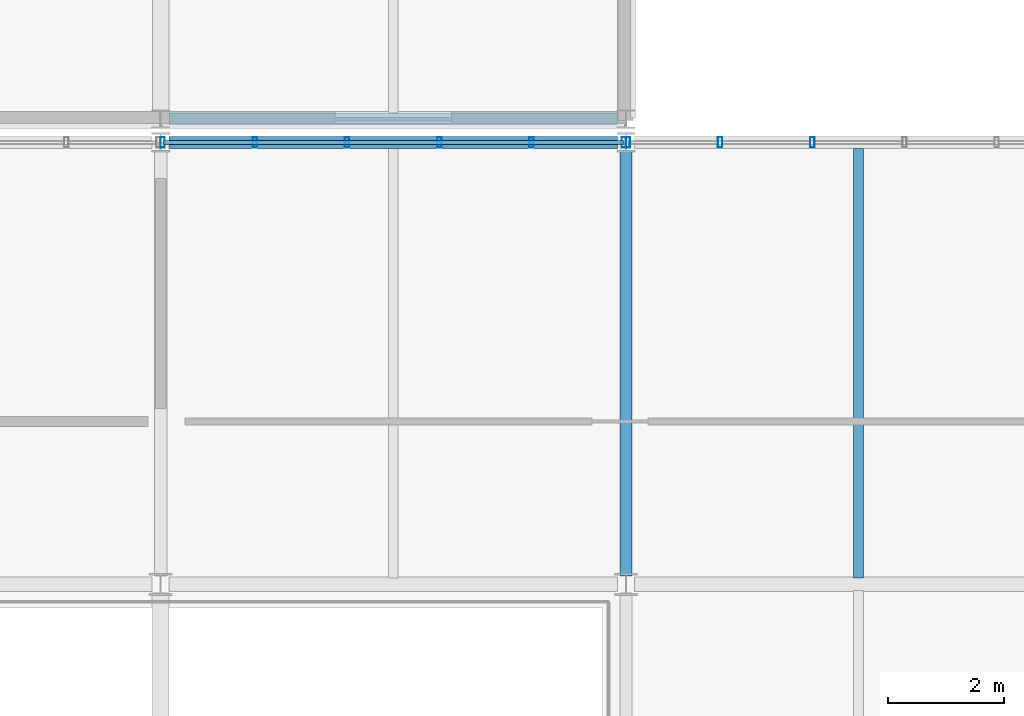
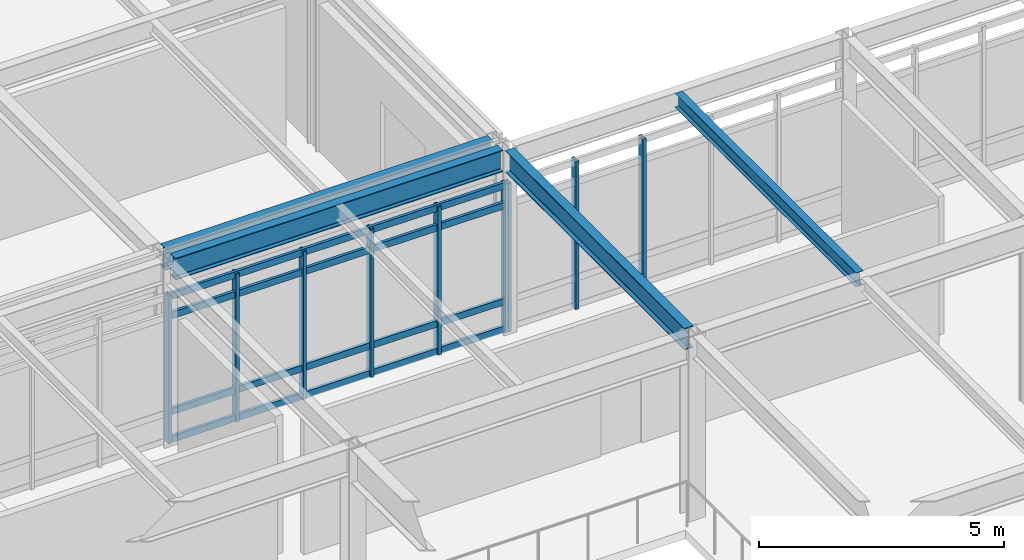
# One storey, part 52 of 104: 13 members, 4 beams, 2 elements without a shape of their own.
"""IFC4 building model written with IfcOpenShell, lengths in metres."""

from ifc_helpers import new_model, si_unit, direction, frame, origin, origin_2d, place, context, subcontext, project, spatial, hollow_rectangle, i_section, extrude, material, material_profile, profile_set, type_object, element, aggregate, save


model = new_model("IFC4")

# Units and contexts
model_context = context("Model", 3, precision=1e-05, world=origin(), true_north=direction((0.0, 1.0)))
body_context = subcontext(model_context, "Body", "Model", "MODEL_VIEW")
ifc_project = project(units=[si_unit("LENGTHUNIT", "METRE"), si_unit("AREAUNIT", "SQUARE_METRE"), si_unit("VOLUMEUNIT", "CUBIC_METRE"), si_unit("PLANEANGLEUNIT", "RADIAN"), si_unit("MASSUNIT", "GRAM", prefix="KILO")], contexts=[model_context])

# Site, building, storey
site_placement = place(None, origin())
site = spatial("IfcSite", under=ifc_project, at=site_placement, CompositionType="ELEMENT")
building_placement = place(site_placement, origin())
building = spatial("IfcBuilding", under=site, at=building_placement, Name="Zulena Civic Courthouse", CompositionType="ELEMENT")
storey_placement = place(building_placement, frame((0.0, 0.0, 15.60009765625)))
storey = spatial("IfcBuildingStorey", under=building, at=storey_placement, Name="L03", CompositionType="ELEMENT", Elevation=15.60009765625)

# Curtain wall, members
ifc_material_1 = material(Name="Double-silver low-E laminated solar-control glass", Category="glass")
curtain_wall_type = type_object("IfcCurtainWallType", Name="CW_7928x3690", PredefinedType="USERDEFINED", material=ifc_material_1)
curtain_wall_1_placement = place(storey_placement, origin())
curtain_wall_1 = element("IfcCurtainWall", 1, at=curtain_wall_1_placement, inside=storey, type_object=curtain_wall_type, Name="cw:V4:L03:1:4", ObjectType="UNITISED CURTAIN WALL", PredefinedType="USERDEFINED")
ifc_material_2 = material(Name="Bronze anodised thermally broken aluminium AA6063-T6", Category="aluminium")
ifc_material_profile_1 = material_profile(ifc_material_2, hollow_rectangle(XDim=0.074951171875, YDim=0.179931640625, WallThickness=0.0048828125, at=origin_2d()), Name="CWM180X75X5")
ifc_profile_set_1 = profile_set([ifc_material_profile_1], Name="Bronze anodised thermally broken aluminium AA6063-T6")
member_type_1 = type_object("IfcMemberType", Name="CWMullion_180x75", PredefinedType="MULLION", material=ifc_profile_set_1)
member_1_placement = place(storey_placement, frame((100.035888671875, 45.60009765625, 0.0), z_axis=(0.0, 0.0, 1.0), x_axis=(1.0, 0.0, 0.0)))
member_1 = element("IfcMember", 2, at=member_1_placement, type_object=member_type_1, Name="cw:V4:L03:1:4:mull:0", PredefinedType="MULLION", context=body_context, shape_type="SweptSolid", body=[
    extrude(hollow_rectangle(XDim=0.074951171875, YDim=0.179931640625, WallThickness=0.0048828125, at=origin_2d()), origin(), (0.0, 0.0, 1.0), 3.68994140625),
])
member_2_placement = place(storey_placement, frame((101.62158203125, 45.60009765625, 0.0), z_axis=(0.0, 0.0, 1.0), x_axis=(1.0, 0.0, 0.0)))
member_2 = element("IfcMember", 3, at=member_2_placement, type_object=member_type_1, Name="cw:V4:L03:1:4:mull:1", PredefinedType="MULLION", context=body_context, shape_type="SweptSolid", body=[
    extrude(hollow_rectangle(XDim=0.074951171875, YDim=0.179931640625, WallThickness=0.0048828125, at=origin_2d()), origin(), (0.0, 0.0, 1.0), 3.68994140625),
])
member_3_placement = place(storey_placement, frame((103.207275390625, 45.60009765625, 0.0), z_axis=(0.0, 0.0, 1.0), x_axis=(1.0, 0.0, 0.0)))
member_3 = element("IfcMember", 4, at=member_3_placement, type_object=member_type_1, Name="cw:V4:L03:1:4:mull:2", PredefinedType="MULLION", context=body_context, shape_type="SweptSolid", body=[
    extrude(hollow_rectangle(XDim=0.074951171875, YDim=0.179931640625, WallThickness=0.0048828125, at=origin_2d()), origin(), (0.0, 0.0, 1.0), 3.68994140625),
])
member_4_placement = place(storey_placement, frame((104.792724609375, 45.60009765625, 0.0), z_axis=(0.0, 0.0, 1.0), x_axis=(1.0, 0.0, 0.0)))
member_4 = element("IfcMember", 5, at=member_4_placement, type_object=member_type_1, Name="cw:V4:L03:1:4:mull:3", PredefinedType="MULLION", context=body_context, shape_type="SweptSolid", body=[
    extrude(hollow_rectangle(XDim=0.074951171875, YDim=0.179931640625, WallThickness=0.0048828125, at=origin_2d()), origin(), (0.0, 0.0, 1.0), 3.68994140625),
])
member_5_placement = place(storey_placement, frame((106.37841796875, 45.60009765625, 0.0), z_axis=(0.0, 0.0, 1.0), x_axis=(1.0, 0.0, 0.0)))
member_5 = element("IfcMember", 6, at=member_5_placement, type_object=member_type_1, Name="cw:V4:L03:1:4:mull:4", PredefinedType="MULLION", context=body_context, shape_type="SweptSolid", body=[
    extrude(hollow_rectangle(XDim=0.074951171875, YDim=0.179931640625, WallThickness=0.0048828125, at=origin_2d()), origin(), (0.0, 0.0, 1.0), 3.68994140625),
])
member_6_placement = place(storey_placement, frame((107.964111328125, 45.60009765625, 0.0), z_axis=(0.0, 0.0, 1.0), x_axis=(1.0, 0.0, 0.0)))
member_6 = element("IfcMember", 7, at=member_6_placement, type_object=member_type_1, Name="cw:V4:L03:1:4:mull:5", PredefinedType="MULLION", context=body_context, shape_type="SweptSolid", body=[
    extrude(hollow_rectangle(XDim=0.074951171875, YDim=0.179931640625, WallThickness=0.0048828125, at=origin_2d()), origin(), (0.0, 0.0, 1.0), 3.68994140625),
])

curtain_wall_2_placement = place(storey_placement, origin())
curtain_wall_2 = element("IfcCurtainWall", 8, at=curtain_wall_2_placement, inside=storey, type_object=curtain_wall_type, Name="cw:V4:L03:1:5", ObjectType="UNITISED CURTAIN WALL", PredefinedType="USERDEFINED")
member_7_placement = place(storey_placement, frame((108.035888671875, 45.60009765625, 0.0), z_axis=(0.0, 0.0, 1.0), x_axis=(1.0, 0.0, 0.0)))
member_7 = element("IfcMember", 9, at=member_7_placement, type_object=member_type_1, Name="cw:V4:L03:1:5:mull:0", PredefinedType="MULLION", context=body_context, shape_type="SweptSolid", body=[
    extrude(hollow_rectangle(XDim=0.074951171875, YDim=0.179931640625, WallThickness=0.0048828125, at=origin_2d()), origin(), (0.0, 0.0, 1.0), 3.68994140625),
])
member_8_placement = place(storey_placement, frame((109.62158203125, 45.60009765625, 0.0), z_axis=(0.0, 0.0, 1.0), x_axis=(1.0, 0.0, 0.0)))
member_8 = element("IfcMember", 10, at=member_8_placement, type_object=member_type_1, Name="cw:V4:L03:1:5:mull:1", PredefinedType="MULLION", context=body_context, shape_type="SweptSolid", body=[
    extrude(hollow_rectangle(XDim=0.074951171875, YDim=0.179931640625, WallThickness=0.0048828125, at=origin_2d()), origin(), (0.0, 0.0, 1.0), 3.68994140625),
])
member_9_placement = place(storey_placement, frame((111.207275390625, 45.60009765625, 0.0), z_axis=(0.0, 0.0, 1.0), x_axis=(1.0, 0.0, 0.0)))
member_9 = element("IfcMember", 11, at=member_9_placement, type_object=member_type_1, Name="cw:V4:L03:1:5:mull:2", PredefinedType="MULLION", context=body_context, shape_type="SweptSolid", body=[
    extrude(hollow_rectangle(XDim=0.074951171875, YDim=0.179931640625, WallThickness=0.0048828125, at=origin_2d()), origin(), (0.0, 0.0, 1.0), 3.68994140625),
])
aggregate(curtain_wall_2, [member_7, member_8, member_9])

# Member
ifc_material_profile_2 = material_profile(ifc_material_2, hollow_rectangle(XDim=0.070068359375, YDim=0.1650390625, WallThickness=0.00390625, at=origin_2d()), Name="CWT165X70X4")
ifc_profile_set_2 = profile_set([ifc_material_profile_2], Name="Bronze anodised thermally broken aluminium AA6063-T6")
member_type_2 = type_object("IfcMemberType", Name="CWTransom_165x70", PredefinedType="USERDEFINED", material=ifc_profile_set_2)
member_10_placement = place(storey_placement, frame((100.035888671875, 45.60009765625, 0.059814453125), z_axis=(1.0, 0.0, 0.0), x_axis=(0.0, 1.0, 0.0)))
member_10 = element("IfcMember", 12, at=member_10_placement, type_object=member_type_2, Name="cw:V4:L03:1:4:tran:0", ObjectType="TRANSOM", PredefinedType="USERDEFINED", context=body_context, shape_type="SweptSolid", body=[
    extrude(hollow_rectangle(XDim=0.070068359375, YDim=0.1650390625, WallThickness=0.00390625, at=origin_2d()), origin(), (0.0, 0.0, 1.0), 7.92822265625),
])

member_11_placement = place(storey_placement, frame((100.035888671875, 45.60009765625, 0.75), z_axis=(1.0, 0.0, 0.0), x_axis=(0.0, 1.0, 0.0)))
member_11 = element("IfcMember", 13, at=member_11_placement, type_object=member_type_2, Name="cw:V4:L03:1:4:tran:1", ObjectType="TRANSOM", PredefinedType="USERDEFINED", context=body_context, shape_type="SweptSolid", body=[
    extrude(hollow_rectangle(XDim=0.070068359375, YDim=0.1650390625, WallThickness=0.00390625, at=origin_2d()), origin(), (0.0, 0.0, 1.0), 7.92822265625),
])

member_12_placement = place(storey_placement, frame((100.035888671875, 45.60009765625, 3.139892578125), z_axis=(1.0, 0.0, 0.0), x_axis=(0.0, 1.0, 0.0)))
member_12 = element("IfcMember", 14, at=member_12_placement, type_object=member_type_2, Name="cw:V4:L03:1:4:tran:2", ObjectType="TRANSOM", PredefinedType="USERDEFINED", context=body_context, shape_type="SweptSolid", body=[
    extrude(hollow_rectangle(XDim=0.070068359375, YDim=0.1650390625, WallThickness=0.00390625, at=origin_2d()), origin(), (0.0, 0.0, 1.0), 7.92822265625),
])

member_13_placement = place(storey_placement, frame((100.035888671875, 45.60009765625, 3.6298828125), z_axis=(1.0, 0.0, 0.0), x_axis=(0.0, 1.0, 0.0)))
member_13 = element("IfcMember", 15, at=member_13_placement, type_object=member_type_2, Name="cw:V4:L03:1:4:tran:3", ObjectType="TRANSOM", PredefinedType="USERDEFINED", context=body_context, shape_type="SweptSolid", body=[
    extrude(hollow_rectangle(XDim=0.070068359375, YDim=0.1650390625, WallThickness=0.00390625, at=origin_2d()), origin(), (0.0, 0.0, 1.0), 7.92822265625),
])

aggregate(curtain_wall_1, [member_1, member_2, member_3, member_4, member_5, member_6, member_10, member_11, member_12, member_13])

# Beams
ifc_material_3 = material(Name="Steel ASTM A992 Grade 50", Category="steel")
ifc_material_profile_3 = material_profile(ifc_material_3, i_section(OverallWidth=0.1708984375, OverallDepth=0.35205078125, WebThickness=0.0068359375, FlangeThickness=0.009765625, FilletRadius=0.01025390625, at=origin_2d()), Name="W14X30")
ifc_profile_set_3 = profile_set([ifc_material_profile_3], Name="Steel ASTM A992 Grade 50")
beam_type_1 = type_object("IfcBeamType", Name="Joist_W14X30", PredefinedType="JOIST", material=ifc_profile_set_3)
beam_1_placement = place(storey_placement, frame((112.0, 38.10498046875, 4.413818359375), z_axis=(0.0, 1.0, 0.0), x_axis=(-1.0, 0.0, 0.0)))
element("IfcBeam", 16, at=beam_1_placement, inside=storey, type_object=beam_type_1, Name="joist:V4:L03:112.00:38.0_45.6", PredefinedType="JOIST", context=body_context, shape_type="SweptSolid", body=[
    extrude(i_section(OverallWidth=0.1708984375, OverallDepth=0.35205078125, WebThickness=0.0068359375, FlangeThickness=0.009765625, FilletRadius=0.01025390625, at=origin_2d()), origin(), (0.0, 0.0, 1.0), 7.39013671875),
])
ifc_material_profile_4 = material_profile(ifc_material_3, i_section(OverallWidth=0.2099609375, OverallDepth=0.537109375, WebThickness=0.010986328125, FlangeThickness=0.017333984375, FilletRadius=0.0126953125, at=origin_2d()), Name="W21X68")
ifc_profile_set_4 = profile_set([ifc_material_profile_4], Name="Steel ASTM A992 Grade 50")
beam_type_2 = type_object("IfcBeamType", Name="Spandrel_W21X68", PredefinedType="SPANDREL", material=ifc_profile_set_4)
beam_2_placement = place(storey_placement, frame((100.14501953125, 45.60009765625, 4.3212890625), z_axis=(1.0, 0.0, 0.0), x_axis=(0.0, 1.0, 0.0)))
element("IfcBeam", 17, at=beam_2_placement, inside=storey, type_object=beam_type_2, Name="beam:X:V4:L03:45.6:100.0_108.0", PredefinedType="SPANDREL", context=body_context, shape_type="SweptSolid", body=[
    extrude(i_section(OverallWidth=0.2099609375, OverallDepth=0.537109375, WebThickness=0.010986328125, FlangeThickness=0.017333984375, FilletRadius=0.0126953125, at=origin_2d()), origin(), (0.0, 0.0, 1.0), 7.7099609375),
])
beam_3_placement = place(storey_placement, frame((108.0, 38.14501953125, 4.3212890625), z_axis=(0.0, 1.0, 0.0), x_axis=(-1.0, 0.0, 0.0)))
element("IfcBeam", 18, at=beam_3_placement, inside=storey, type_object=beam_type_2, Name="beam:Y:V4:L03:108.0:38.0_45.6", PredefinedType="SPANDREL", context=body_context, shape_type="SweptSolid", body=[
    extrude(i_section(OverallWidth=0.2099609375, OverallDepth=0.537109375, WebThickness=0.010986328125, FlangeThickness=0.017333984375, FilletRadius=0.0126953125, at=origin_2d()), origin(), (0.0, 0.0, 1.0), 7.31005859375),
])
beam_4_placement = place(storey_placement, frame((100.14501953125, 46.0, 4.3212890625), z_axis=(1.0, 0.0, 0.0), x_axis=(0.0, 1.0, 0.0)))
element("IfcBeam", 19, at=beam_4_placement, inside=storey, type_object=beam_type_2, Name="beam:X:V5:L03:46.0:100.0_108.0", PredefinedType="SPANDREL", context=body_context, shape_type="SweptSolid", body=[
    extrude(i_section(OverallWidth=0.2099609375, OverallDepth=0.537109375, WebThickness=0.010986328125, FlangeThickness=0.017333984375, FilletRadius=0.0126953125, at=origin_2d()), origin(), (0.0, 0.0, 1.0), 7.7099609375),
])

save(model, "model.ifc")
